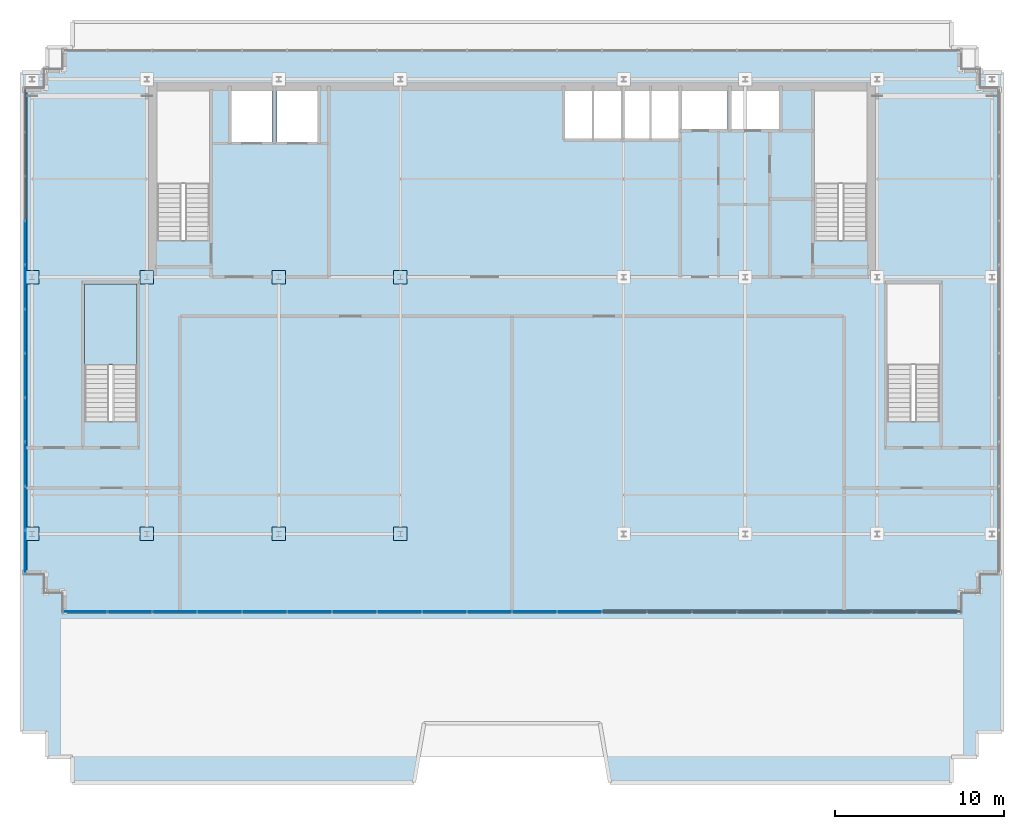
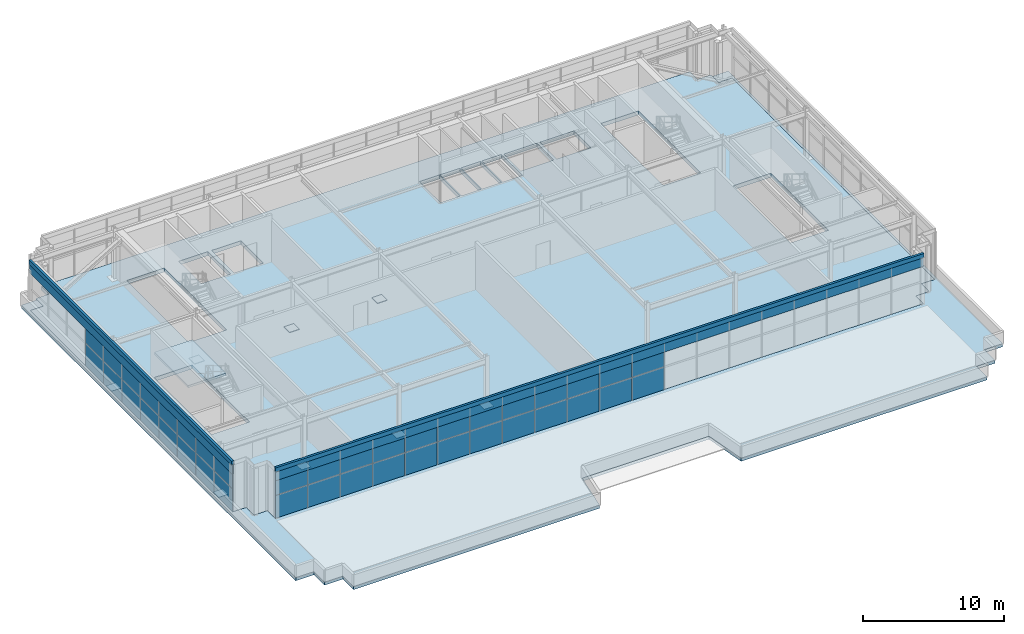
# One storey, part 25 of 38: 52 plates, 3 slabs, 3 elements without a shape of their own.
"""IFC4 building model written with IfcOpenShell, lengths in metres."""

from ifc_helpers import new_model, si_unit, direction, frame, origin, origin_2d, place, context, subcontext, project, spatial, polyline, rectangle, outline, extrude, source, transform, mapped, material, layer, layer_set, type_object, element, aggregate, save


model = new_model("IFC4")

# Units and contexts
model_context = context("Model", 3, precision=1e-05, world=origin(), true_north=direction((0.0, 1.0)))
body_context = subcontext(model_context, "Body", "Model", "MODEL_VIEW")
ifc_project = project(units=[si_unit("LENGTHUNIT", "METRE"), si_unit("AREAUNIT", "SQUARE_METRE"), si_unit("VOLUMEUNIT", "CUBIC_METRE"), si_unit("PLANEANGLEUNIT", "RADIAN"), si_unit("MASSUNIT", "GRAM", prefix="KILO")], contexts=[model_context])

# Site, building, storey
site_placement = place(None, origin())
site = spatial("IfcSite", under=ifc_project, at=site_placement, CompositionType="ELEMENT")
building_placement = place(site_placement, origin())
building = spatial("IfcBuilding", under=site, at=building_placement, Name="Trelvane Seafront Commons", CompositionType="ELEMENT")
storey_placement = place(building_placement, frame((0.0, 0.0, 299.10009765625)))
storey = spatial("IfcBuildingStorey", under=building, at=storey_placement, Name="L78", CompositionType="ELEMENT", Elevation=299.10009765625)

# Stair, slab
ifc_material_1 = material(Name="Concrete C40/50", Category="concrete")
stair_type = type_object("IfcStairType", Name="ARCH-STR-ST-5-R26-169", PredefinedType="HALF_TURN_STAIR", material=ifc_material_1)
stair_placement = place(storey_placement, origin())
stair = element("IfcStair", 1, at=stair_placement, inside=storey, type_object=stair_type, Name="L78 Crown West Peak Enclosed Maintenance Exit Stair ST-5", PredefinedType="HALF_TURN_STAIR")
ifc_layer_1 = layer(ifc_material_1, 0.199951171875, Name="ARCH-LND-200")
ifc_layer_set_1 = layer_set([ifc_layer_1], Name="Concrete C40/50")
slab_type_1 = type_object("IfcSlabType", Name="ARCH-LND-200", PredefinedType="LANDING", material=ifc_layer_set_1)
slab_1_placement = place(storey_placement, frame((0.0, 0.0, 2.0)))
slab_1 = element("IfcSlab", 2, at=slab_1_placement, type_object=slab_type_1, Name="ST-5 landing 1", PredefinedType="LANDING", context=body_context, shape_type="SweptSolid", body=[
    extrude(outline(polyline([(15.0, 28.2099609375), (15.0, 33.0), (11.89990234375, 33.0), (11.89990234375, 28.2099609375), (15.0, 28.2099609375)])), origin(), (0.0, 0.0, 1.0), 0.199951171875),
])
aggregate(stair, [slab_1])

# Slabs
ifc_layer_2 = layer(ifc_material_1, 0.27001953125, Name="STR-ROOF-270")
ifc_layer_set_2 = layer_set([ifc_layer_2], Name="Concrete C40/50")
slab_type_2 = type_object("IfcSlabType", Name="STR-ROOF-270", PredefinedType="ROOF", material=ifc_layer_set_2)
slab_2_placement = place(storey_placement, frame((0.0, 0.0, -0.27001953125)))
element("IfcSlab", 3, at=slab_2_placement, inside=storey, type_object=slab_type_2, Name="L78 Crown Setback Step Roof Slab", PredefinedType="ROOF", context=body_context, shape_type="SweptSolid", body=[
    extrude(outline(polyline([(64.89990234375, 45.5), (64.89990234375, 44.60009765625), (66.0, 44.60009765625), (66.0, 15.800048828125), (64.89990234375, 15.800048828125), (64.89990234375, 14.699951171875), (63.800048828125, 14.699951171875), (63.800048828125, 13.60009765625), (10.60009765625, 13.60009765625), (10.60009765625, 14.699951171875), (9.5, 14.699951171875), (9.5, 15.800048828125), (8.39990234375, 15.800048828125), (8.39990234375, 44.60009765625), (9.5, 44.60009765625), (9.5, 45.5), (8.199951171875, 45.5), (8.199951171875, 6.5), (9.699951171875, 6.5), (9.699951171875, 5.0), (11.199951171875, 5.0), (11.199951171875, 3.5), (31.39990234375, 3.5), (32.0, 7.0), (42.39990234375, 7.0), (43.0, 3.5), (63.199951171875, 3.5), (63.199951171875, 5.0), (64.699951171875, 5.0), (64.699951171875, 6.5), (66.199951171875, 6.5), (66.199951171875, 45.5), (64.89990234375, 45.5)])), origin(), (0.0, 0.0, 1.0), 0.27001953125),
])
ifc_material_2 = material(Name="Concrete C50/60", Category="concrete")
ifc_layer_3 = layer(ifc_material_2, 0.340087890625, Name="STR-SLB-CRN340")
ifc_layer_set_3 = layer_set([ifc_layer_3], Name="Concrete C50/60")
slab_type_3 = type_object("IfcSlabType", Name="STR-SLB-CRN340", PredefinedType="FLOOR", material=ifc_layer_set_3)
slab_3_placement = place(storey_placement, frame((0.0, 0.0, -0.340087890625)))
element("IfcSlab", 4, at=slab_3_placement, inside=storey, type_object=slab_type_3, Name="L78 Structural Floor Slab", PredefinedType="FLOOR", context=body_context, shape_type="SweptSolid", body=[
    extrude(outline(polyline([(10.60009765625, 13.60009765625), (63.800048828125, 13.60009765625), (63.800048828125, 14.699951171875), (64.89990234375, 14.699951171875), (64.89990234375, 15.800048828125), (66.0, 15.800048828125), (66.0, 44.60009765625), (64.89990234375, 44.60009765625), (64.89990234375, 45.699951171875), (63.800048828125, 45.699951171875), (63.800048828125, 46.800048828125), (10.60009765625, 46.800048828125), (10.60009765625, 45.699951171875), (9.5, 45.699951171875), (9.5, 44.60009765625), (8.39990234375, 44.60009765625), (8.39990234375, 15.800048828125), (9.5, 15.800048828125), (9.5, 14.699951171875), (10.60009765625, 14.699951171875), (10.60009765625, 13.60009765625)]), holes=[polyline([(15.0, 24.85009765625), (11.89990234375, 24.85009765625), (11.89990234375, 33.0), (15.0, 33.0), (15.0, 24.85009765625)]), polyline([(16.199951171875, 35.550048828125), (16.199951171875, 44.39990234375), (19.300048828125, 44.39990234375), (19.300048828125, 35.550048828125), (16.199951171875, 35.550048828125)]), polyline([(20.60009765625, 41.39990234375), (20.60009765625, 44.60009765625), (23.0, 44.60009765625), (23.0, 41.39990234375), (20.60009765625, 41.39990234375)]), polyline([(25.699951171875, 41.39990234375), (23.300048828125, 41.39990234375), (23.300048828125, 44.60009765625), (25.699951171875, 44.60009765625), (25.699951171875, 41.39990234375)]), polyline([(40.35009765625, 41.60009765625), (40.35009765625, 44.60009765625), (41.969970703125, 44.60009765625), (41.969970703125, 41.60009765625), (40.35009765625, 41.60009765625)]), polyline([(42.050048828125, 41.60009765625), (42.050048828125, 44.60009765625), (43.669921875, 44.60009765625), (43.669921875, 41.60009765625), (42.050048828125, 41.60009765625)]), polyline([(62.5, 24.85009765625), (59.39990234375, 24.85009765625), (59.39990234375, 33.0), (62.5, 33.0), (62.5, 24.85009765625)]), polyline([(55.10009765625, 35.550048828125), (55.10009765625, 44.39990234375), (58.199951171875, 44.39990234375), (58.199951171875, 35.550048828125), (55.10009765625, 35.550048828125)]), polyline([(43.75, 41.60009765625), (43.75, 44.60009765625), (45.3701171875, 44.60009765625), (45.3701171875, 41.60009765625), (43.75, 41.60009765625)]), polyline([(47.070068359375, 41.60009765625), (45.449951171875, 41.60009765625), (45.449951171875, 44.60009765625), (47.070068359375, 44.60009765625), (47.070068359375, 41.60009765625)]), polyline([(47.25, 42.14990234375), (47.25, 44.550048828125), (49.949951171875, 44.550048828125), (49.949951171875, 42.14990234375), (47.25, 42.14990234375)]), polyline([(50.199951171875, 42.14990234375), (50.199951171875, 44.550048828125), (53.0, 44.550048828125), (53.0, 42.14990234375), (50.199951171875, 42.14990234375)])]), origin(), (0.0, 0.0, 1.0), 0.340087890625),
])

# Plates
ifc_material_3 = material(Name="Steel SM355 (S355)", Category="steel")
ifc_layer_4 = layer(ifc_material_3, 0.034912109375, Name="STR-PLT-BASE-CRN")
ifc_layer_set_4 = layer_set([ifc_layer_4], Name="Steel SM355 (S355)")
plate_type_1 = type_object("IfcPlateType", Name="STR-PLT-BASE-CRN", PredefinedType="SHEET", material=ifc_layer_set_4)
shared_shape_1 = source(origin(), body_context, "Body", "SweptSolid", [
    extrude(rectangle(XDim=0.800048828125, YDim=0.800048828125, at=origin_2d()), origin(), (0.0, 0.0, 1.0), 0.034912109375),
])
for number, where, z_axis, x_axis, name in (
    (5, (8.800048828125, 18.199951171875, 0.0), (0.0, 0.0, 1.0), (1.0, 0.0, 0.0), "L78 CROWN FRAME Column Base Plate CRN1-01"),
    (6, (8.800048828125, 33.39990234375, 0.0), (0.0, 0.0, 1.0), (1.0, 0.0, 0.0), "L78 CROWN FRAME Column Base Plate CRN1-02"),
    (7, (15.60009765625, 18.199951171875, 0.0), (0.0, 0.0, 1.0), (1.0, 0.0, 0.0), "L78 CROWN FRAME Column Base Plate CRN1-04"),
    (8, (15.60009765625, 33.39990234375, 0.0), (0.0, 0.0, 1.0), (1.0, 0.0, 0.0), "L78 CROWN FRAME Column Base Plate CRN1-05"),
    (9, (23.39990234375, 18.199951171875, 0.0), (0.0, 0.0, 1.0), (1.0, 0.0, 0.0), "L78 CROWN FRAME Column Base Plate CRN1-07"),
    (10, (23.39990234375, 33.39990234375, 0.0), (0.0, 0.0, 1.0), (1.0, 0.0, 0.0), "L78 CROWN FRAME Column Base Plate CRN1-08"),
    (11, (30.60009765625, 18.199951171875, 0.0), (0.0, 0.0, 1.0), (1.0, 0.0, 0.0), "L78 CROWN FRAME Column Base Plate CRN1-10"),
    (12, (30.60009765625, 33.39990234375, 0.0), (0.0, 0.0, 1.0), (1.0, 0.0, 0.0), "L78 CROWN FRAME Column Base Plate CRN1-11"),
):
    element("IfcPlate", number, at=place(storey_placement, frame(where, z_axis=z_axis, x_axis=x_axis)), inside=storey, type_object=plate_type_1, Name=name, PredefinedType="SHEET", context=body_context, shape_type="MappedRepresentation", body=[
        mapped(shared_shape_1, transform((0.0, 0.0, 0.0), x_axis=(1.0, 0.0, 0.0), y_axis=(0.0, 1.0, 0.0), z_axis=(0.0, 0.0, 1.0), scale=1.0)),
    ])

# Curtain wall, plates
ifc_material_4 = material(Name="Anodised pale-silver aluminium", Category="aluminium")
curtain_wall_type = type_object("IfcCurtainWallType", Name="ARCH-CW6-CROWN", PredefinedType="NOTDEFINED", material=ifc_material_4)
curtain_wall_1_placement = place(storey_placement, origin())
curtain_wall_1 = element("IfcCurtainWall", 13, at=curtain_wall_1_placement, inside=storey, type_object=curtain_wall_type, Name="CW-L78-0124", PredefinedType="NOTDEFINED")
ifc_material_5 = material(Name="Low-E coastal double glazing", Category="glass")
ifc_layer_5 = layer(ifc_material_5, 0.033935546875, Name="ARCH-CW-GLAZ-34")
ifc_layer_set_5 = layer_set([ifc_layer_5], Name="Low-E coastal double glazing")
plate_type_2 = type_object("IfcPlateType", Name="ARCH-CW-GLAZ-34", PredefinedType="CURTAIN_PANEL", material=ifc_layer_set_5)
shared_shape_2 = source(origin(), body_context, "Body", "SweptSolid", [
    extrude(rectangle(XDim=2.59423828125, YDim=0.031982421875, at=origin_2d()), origin(), (0.0, 0.0, 1.0), 1.9599609375),
])
plate_1_placement = place(storey_placement, frame((8.39990234375, 17.109130859375, 0.0), z_axis=(0.0, 0.0, 1.0), x_axis=(0.0, 1.0, 0.0)))
plate_1 = element("IfcPlate", 14, at=plate_1_placement, type_object=plate_type_2, Name="CW-L78-0124-P00-1", PredefinedType="CURTAIN_PANEL", context=body_context, shape_type="MappedRepresentation", body=[
    mapped(shared_shape_2, transform((0.0, 0.0, 0.0), x_axis=(1.0, 0.0, 0.0), y_axis=(0.0, 1.0, 0.0), z_axis=(0.0, 0.0, 1.0), scale=1.0)),
])
plate_2_placement = place(storey_placement, frame((8.39990234375, 19.727294921875, 0.0), z_axis=(0.0, 0.0, 1.0), x_axis=(0.0, 1.0, 0.0)))
plate_2 = element("IfcPlate", 15, at=plate_2_placement, type_object=plate_type_2, Name="CW-L78-0124-P01-1", PredefinedType="CURTAIN_PANEL", context=body_context, shape_type="MappedRepresentation", body=[
    mapped(shared_shape_2, transform((0.0, 0.0, 0.0), x_axis=(1.0, 0.0, 0.0), y_axis=(0.0, 1.0, 0.0), z_axis=(0.0, 0.0, 1.0), scale=1.0)),
])
plate_3_placement = place(storey_placement, frame((8.39990234375, 24.963623046875, 0.0), z_axis=(0.0, 0.0, 1.0), x_axis=(0.0, 1.0, 0.0)))
plate_3 = element("IfcPlate", 16, at=plate_3_placement, type_object=plate_type_2, Name="CW-L78-0124-P03-1", PredefinedType="CURTAIN_PANEL", context=body_context, shape_type="MappedRepresentation", body=[
    mapped(shared_shape_2, transform((0.0, 0.0, 0.0), x_axis=(1.0, 0.0, 0.0), y_axis=(0.0, 1.0, 0.0), z_axis=(0.0, 0.0, 1.0), scale=1.0)),
])
plate_4_placement = place(storey_placement, frame((8.39990234375, 27.581787109375, 0.0), z_axis=(0.0, 0.0, 1.0), x_axis=(0.0, 1.0, 0.0)))
plate_4 = element("IfcPlate", 17, at=plate_4_placement, type_object=plate_type_2, Name="CW-L78-0124-P04-1", PredefinedType="CURTAIN_PANEL", context=body_context, shape_type="MappedRepresentation", body=[
    mapped(shared_shape_2, transform((0.0, 0.0, 0.0), x_axis=(1.0, 0.0, 0.0), y_axis=(0.0, 1.0, 0.0), z_axis=(0.0, 0.0, 1.0), scale=1.0)),
])
plate_5_placement = place(storey_placement, frame((8.39990234375, 30.199951171875, 0.0), z_axis=(0.0, 0.0, 1.0), x_axis=(0.0, 1.0, 0.0)))
plate_5 = element("IfcPlate", 18, at=plate_5_placement, type_object=plate_type_2, Name="CW-L78-0124-P05-1", PredefinedType="CURTAIN_PANEL", context=body_context, shape_type="MappedRepresentation", body=[
    mapped(shared_shape_2, transform((0.0, 0.0, 0.0), x_axis=(1.0, 0.0, 0.0), y_axis=(0.0, 1.0, 0.0), z_axis=(0.0, 0.0, 1.0), scale=1.0)),
])
plate_6_placement = place(storey_placement, frame((8.39990234375, 32.818115234375, 0.0), z_axis=(0.0, 0.0, 1.0), x_axis=(0.0, 1.0, 0.0)))
plate_6 = element("IfcPlate", 19, at=plate_6_placement, type_object=plate_type_2, Name="CW-L78-0124-P06-1", PredefinedType="CURTAIN_PANEL", context=body_context, shape_type="MappedRepresentation", body=[
    mapped(shared_shape_2, transform((0.0, 0.0, 0.0), x_axis=(1.0, 0.0, 0.0), y_axis=(0.0, 1.0, 0.0), z_axis=(0.0, 0.0, 1.0), scale=1.0)),
])
plate_7_placement = place(storey_placement, frame((8.39990234375, 35.436279296875, 0.0), z_axis=(0.0, 0.0, 1.0), x_axis=(0.0, 1.0, 0.0)))
plate_7 = element("IfcPlate", 20, at=plate_7_placement, type_object=plate_type_2, Name="CW-L78-0124-P07-1", PredefinedType="CURTAIN_PANEL", context=body_context, shape_type="MappedRepresentation", body=[
    mapped(shared_shape_2, transform((0.0, 0.0, 0.0), x_axis=(1.0, 0.0, 0.0), y_axis=(0.0, 1.0, 0.0), z_axis=(0.0, 0.0, 1.0), scale=1.0)),
])
shared_shape_3 = source(origin(), body_context, "Body", "SweptSolid", [
    extrude(rectangle(XDim=2.59423828125, YDim=0.031982421875, at=origin_2d()), origin(), (0.0, 0.0, 1.0), 2.1240234375),
])
plate_8_placement = place(storey_placement, frame((8.39990234375, 17.109130859375, 1.995849609375), z_axis=(0.0, 0.0, 1.0), x_axis=(0.0, 1.0, 0.0)))
plate_8 = element("IfcPlate", 21, at=plate_8_placement, type_object=plate_type_2, Name="CW-L78-0124-P00-2", PredefinedType="CURTAIN_PANEL", context=body_context, shape_type="MappedRepresentation", body=[
    mapped(shared_shape_3, transform((0.0, 0.0, 0.0), x_axis=(1.0, 0.0, 0.0), y_axis=(0.0, 1.0, 0.0), z_axis=(0.0, 0.0, 1.0), scale=1.0)),
])
plate_9_placement = place(storey_placement, frame((8.39990234375, 19.727294921875, 1.995849609375), z_axis=(0.0, 0.0, 1.0), x_axis=(0.0, 1.0, 0.0)))
plate_9 = element("IfcPlate", 22, at=plate_9_placement, type_object=plate_type_2, Name="CW-L78-0124-P01-2", PredefinedType="CURTAIN_PANEL", context=body_context, shape_type="MappedRepresentation", body=[
    mapped(shared_shape_3, transform((0.0, 0.0, 0.0), x_axis=(1.0, 0.0, 0.0), y_axis=(0.0, 1.0, 0.0), z_axis=(0.0, 0.0, 1.0), scale=1.0)),
])
plate_10_placement = place(storey_placement, frame((8.39990234375, 24.963623046875, 1.995849609375), z_axis=(0.0, 0.0, 1.0), x_axis=(0.0, 1.0, 0.0)))
plate_10 = element("IfcPlate", 23, at=plate_10_placement, type_object=plate_type_2, Name="CW-L78-0124-P03-2", PredefinedType="CURTAIN_PANEL", context=body_context, shape_type="MappedRepresentation", body=[
    mapped(shared_shape_3, transform((0.0, 0.0, 0.0), x_axis=(1.0, 0.0, 0.0), y_axis=(0.0, 1.0, 0.0), z_axis=(0.0, 0.0, 1.0), scale=1.0)),
])
plate_11_placement = place(storey_placement, frame((8.39990234375, 27.581787109375, 1.995849609375), z_axis=(0.0, 0.0, 1.0), x_axis=(0.0, 1.0, 0.0)))
plate_11 = element("IfcPlate", 24, at=plate_11_placement, type_object=plate_type_2, Name="CW-L78-0124-P04-2", PredefinedType="CURTAIN_PANEL", context=body_context, shape_type="MappedRepresentation", body=[
    mapped(shared_shape_3, transform((0.0, 0.0, 0.0), x_axis=(1.0, 0.0, 0.0), y_axis=(0.0, 1.0, 0.0), z_axis=(0.0, 0.0, 1.0), scale=1.0)),
])
plate_12_placement = place(storey_placement, frame((8.39990234375, 30.199951171875, 1.995849609375), z_axis=(0.0, 0.0, 1.0), x_axis=(0.0, 1.0, 0.0)))
plate_12 = element("IfcPlate", 25, at=plate_12_placement, type_object=plate_type_2, Name="CW-L78-0124-P05-2", PredefinedType="CURTAIN_PANEL", context=body_context, shape_type="MappedRepresentation", body=[
    mapped(shared_shape_3, transform((0.0, 0.0, 0.0), x_axis=(1.0, 0.0, 0.0), y_axis=(0.0, 1.0, 0.0), z_axis=(0.0, 0.0, 1.0), scale=1.0)),
])
plate_13_placement = place(storey_placement, frame((8.39990234375, 32.818115234375, 1.995849609375), z_axis=(0.0, 0.0, 1.0), x_axis=(0.0, 1.0, 0.0)))
plate_13 = element("IfcPlate", 26, at=plate_13_placement, type_object=plate_type_2, Name="CW-L78-0124-P06-2", PredefinedType="CURTAIN_PANEL", context=body_context, shape_type="MappedRepresentation", body=[
    mapped(shared_shape_3, transform((0.0, 0.0, 0.0), x_axis=(1.0, 0.0, 0.0), y_axis=(0.0, 1.0, 0.0), z_axis=(0.0, 0.0, 1.0), scale=1.0)),
])
plate_14_placement = place(storey_placement, frame((8.39990234375, 35.436279296875, 1.995849609375), z_axis=(0.0, 0.0, 1.0), x_axis=(0.0, 1.0, 0.0)))
plate_14 = element("IfcPlate", 27, at=plate_14_placement, type_object=plate_type_2, Name="CW-L78-0124-P07-2", PredefinedType="CURTAIN_PANEL", context=body_context, shape_type="MappedRepresentation", body=[
    mapped(shared_shape_3, transform((0.0, 0.0, 0.0), x_axis=(1.0, 0.0, 0.0), y_axis=(0.0, 1.0, 0.0), z_axis=(0.0, 0.0, 1.0), scale=1.0)),
])
shared_shape_4 = source(origin(), body_context, "Body", "SweptSolid", [
    extrude(rectangle(XDim=2.593994140625, YDim=0.031982421875, at=origin_2d()), origin(), (0.0, 0.0, 1.0), 1.9599609375),
])
plate_15_placement = place(storey_placement, frame((8.39990234375, 22.345458984375, 0.0), z_axis=(0.0, 0.0, 1.0), x_axis=(0.0, 1.0, 0.0)))
plate_15 = element("IfcPlate", 28, at=plate_15_placement, type_object=plate_type_2, Name="CW-L78-0124-P02-1", PredefinedType="CURTAIN_PANEL", context=body_context, shape_type="MappedRepresentation", body=[
    mapped(shared_shape_4, transform((0.0, 0.0, 0.0), x_axis=(1.0, 0.0, 0.0), y_axis=(0.0, 1.0, 0.0), z_axis=(0.0, 0.0, 1.0), scale=1.0)),
])
shared_shape_5 = source(origin(), body_context, "Body", "SweptSolid", [
    extrude(rectangle(XDim=2.593994140625, YDim=0.031982421875, at=origin_2d()), origin(), (0.0, 0.0, 1.0), 2.1240234375),
])
plate_16_placement = place(storey_placement, frame((8.39990234375, 22.345458984375, 1.995849609375), z_axis=(0.0, 0.0, 1.0), x_axis=(0.0, 1.0, 0.0)))
plate_16 = element("IfcPlate", 29, at=plate_16_placement, type_object=plate_type_2, Name="CW-L78-0124-P02-2", PredefinedType="CURTAIN_PANEL", context=body_context, shape_type="MappedRepresentation", body=[
    mapped(shared_shape_5, transform((0.0, 0.0, 0.0), x_axis=(1.0, 0.0, 0.0), y_axis=(0.0, 1.0, 0.0), z_axis=(0.0, 0.0, 1.0), scale=1.0)),
])
aggregate(curtain_wall_1, [plate_1, plate_8, plate_2, plate_9, plate_15, plate_16, plate_3, plate_10, plate_4, plate_11, plate_5, plate_12, plate_6, plate_13, plate_7, plate_14])

# Plates
ifc_layer_6 = layer(ifc_material_4, 0.080078125, Name="ARCH-PLATE-LOUVRE")
ifc_layer_set_6 = layer_set([ifc_layer_6], Name="Anodised pale-silver aluminium")
plate_type_3 = type_object("IfcPlateType", Name="ARCH-PLATE-LOUVRE", PredefinedType="USERDEFINED", material=ifc_layer_set_6)
shared_shape_6 = source(origin(), body_context, "Body", "SweptSolid", [
    extrude(rectangle(XDim=28.800048828125, YDim=0.080078125, at=origin_2d()), origin(), (0.0, 0.0, 1.0), 0.889892578125),
])
plate_17_placement = place(storey_placement, frame((8.39990234375, 30.199951171875, 3.27001953125), z_axis=(0.0, 0.0, 1.0), x_axis=(0.0, 1.0, 0.0)))
element("IfcPlate", 30, at=plate_17_placement, inside=storey, type_object=plate_type_3, Name="LOU-L78-013", ObjectType="LOUVRE", PredefinedType="USERDEFINED", context=body_context, shape_type="MappedRepresentation", body=[
    mapped(shared_shape_6, transform((0.0, 0.0, 0.0), x_axis=(1.0, 0.0, 0.0), y_axis=(0.0, 1.0, 0.0), z_axis=(0.0, 0.0, 1.0), scale=1.0)),
])
ifc_layer_7 = layer(ifc_material_4, 0.179931640625, Name="ARCH-PLATE-AERO")
ifc_layer_set_7 = layer_set([ifc_layer_7], Name="Anodised pale-silver aluminium")
plate_type_4 = type_object("IfcPlateType", Name="ARCH-PLATE-AERO", PredefinedType="SHEET", material=ifc_layer_set_7)
shared_shape_7 = source(origin(), body_context, "Body", "SweptSolid", [
    extrude(rectangle(XDim=28.800048828125, YDim=0.179931640625, at=origin_2d()), origin(), (0.0, 0.0, 1.0), 0.360107421875),
])
plate_18_placement = place(storey_placement, frame((8.39990234375, 30.199951171875, 4.06005859375), z_axis=(0.0, 0.0, 1.0), x_axis=(0.0, 1.0, 0.0)))
element("IfcPlate", 31, at=plate_18_placement, inside=storey, type_object=plate_type_4, Name="AER-L78-00270", PredefinedType="SHEET", context=body_context, shape_type="MappedRepresentation", body=[
    mapped(shared_shape_7, transform((0.0, 0.0, 0.0), x_axis=(1.0, 0.0, 0.0), y_axis=(0.0, 1.0, 0.0), z_axis=(0.0, 0.0, 1.0), scale=1.0)),
])

# Curtain wall, plates
curtain_wall_2_placement = place(storey_placement, origin())
curtain_wall_2 = element("IfcCurtainWall", 32, at=curtain_wall_2_placement, inside=storey, type_object=curtain_wall_type, Name="CW-L78-0127", PredefinedType="NOTDEFINED")
shared_shape_8 = source(origin(), body_context, "Body", "SweptSolid", [
    extrude(rectangle(XDim=2.635986328125, YDim=0.031982421875, at=origin_2d()), origin(), (0.0, 0.0, 1.0), 1.9599609375),
])
plate_19_placement = place(storey_placement, frame((41.18994140625, 13.60009765625, 0.0), z_axis=(0.0, 0.0, 1.0), x_axis=(-1.0, 0.0, 0.0)))
plate_19 = element("IfcPlate", 33, at=plate_19_placement, type_object=plate_type_2, Name="CW-L78-0127-P08-1", PredefinedType="CURTAIN_PANEL", context=body_context, shape_type="MappedRepresentation", body=[
    mapped(shared_shape_8, transform((0.0, 0.0, 0.0), x_axis=(1.0, 0.0, 0.0), y_axis=(0.0, 1.0, 0.0), z_axis=(0.0, 0.0, 1.0), scale=1.0)),
])
plate_20_placement = place(storey_placement, frame((38.530029296875, 13.60009765625, 0.0), z_axis=(0.0, 0.0, 1.0), x_axis=(-1.0, 0.0, 0.0)))
plate_20 = element("IfcPlate", 34, at=plate_20_placement, type_object=plate_type_2, Name="CW-L78-0127-P09-1", PredefinedType="CURTAIN_PANEL", context=body_context, shape_type="MappedRepresentation", body=[
    mapped(shared_shape_8, transform((0.0, 0.0, 0.0), x_axis=(1.0, 0.0, 0.0), y_axis=(0.0, 1.0, 0.0), z_axis=(0.0, 0.0, 1.0), scale=1.0)),
])
plate_21_placement = place(storey_placement, frame((35.8701171875, 13.60009765625, 0.0), z_axis=(0.0, 0.0, 1.0), x_axis=(-1.0, 0.0, 0.0)))
plate_21 = element("IfcPlate", 35, at=plate_21_placement, type_object=plate_type_2, Name="CW-L78-0127-P10-1", PredefinedType="CURTAIN_PANEL", context=body_context, shape_type="MappedRepresentation", body=[
    mapped(shared_shape_8, transform((0.0, 0.0, 0.0), x_axis=(1.0, 0.0, 0.0), y_axis=(0.0, 1.0, 0.0), z_axis=(0.0, 0.0, 1.0), scale=1.0)),
])
plate_22_placement = place(storey_placement, frame((33.2099609375, 13.60009765625, 0.0), z_axis=(0.0, 0.0, 1.0), x_axis=(-1.0, 0.0, 0.0)))
plate_22 = element("IfcPlate", 36, at=plate_22_placement, type_object=plate_type_2, Name="CW-L78-0127-P11-1", PredefinedType="CURTAIN_PANEL", context=body_context, shape_type="MappedRepresentation", body=[
    mapped(shared_shape_8, transform((0.0, 0.0, 0.0), x_axis=(1.0, 0.0, 0.0), y_axis=(0.0, 1.0, 0.0), z_axis=(0.0, 0.0, 1.0), scale=1.0)),
])
plate_23_placement = place(storey_placement, frame((30.550048828125, 13.60009765625, 0.0), z_axis=(0.0, 0.0, 1.0), x_axis=(-1.0, 0.0, 0.0)))
plate_23 = element("IfcPlate", 37, at=plate_23_placement, type_object=plate_type_2, Name="CW-L78-0127-P12-1", PredefinedType="CURTAIN_PANEL", context=body_context, shape_type="MappedRepresentation", body=[
    mapped(shared_shape_8, transform((0.0, 0.0, 0.0), x_axis=(1.0, 0.0, 0.0), y_axis=(0.0, 1.0, 0.0), z_axis=(0.0, 0.0, 1.0), scale=1.0)),
])
plate_24_placement = place(storey_placement, frame((27.889892578125, 13.60009765625, 0.0), z_axis=(0.0, 0.0, 1.0), x_axis=(-1.0, 0.0, 0.0)))
plate_24 = element("IfcPlate", 38, at=plate_24_placement, type_object=plate_type_2, Name="CW-L78-0127-P13-1", PredefinedType="CURTAIN_PANEL", context=body_context, shape_type="MappedRepresentation", body=[
    mapped(shared_shape_8, transform((0.0, 0.0, 0.0), x_axis=(1.0, 0.0, 0.0), y_axis=(0.0, 1.0, 0.0), z_axis=(0.0, 0.0, 1.0), scale=1.0)),
])
plate_25_placement = place(storey_placement, frame((25.22998046875, 13.60009765625, 0.0), z_axis=(0.0, 0.0, 1.0), x_axis=(-1.0, 0.0, 0.0)))
plate_25 = element("IfcPlate", 39, at=plate_25_placement, type_object=plate_type_2, Name="CW-L78-0127-P14-1", PredefinedType="CURTAIN_PANEL", context=body_context, shape_type="MappedRepresentation", body=[
    mapped(shared_shape_8, transform((0.0, 0.0, 0.0), x_axis=(1.0, 0.0, 0.0), y_axis=(0.0, 1.0, 0.0), z_axis=(0.0, 0.0, 1.0), scale=1.0)),
])
plate_26_placement = place(storey_placement, frame((22.570068359375, 13.60009765625, 0.0), z_axis=(0.0, 0.0, 1.0), x_axis=(-1.0, 0.0, 0.0)))
plate_26 = element("IfcPlate", 40, at=plate_26_placement, type_object=plate_type_2, Name="CW-L78-0127-P15-1", PredefinedType="CURTAIN_PANEL", context=body_context, shape_type="MappedRepresentation", body=[
    mapped(shared_shape_8, transform((0.0, 0.0, 0.0), x_axis=(1.0, 0.0, 0.0), y_axis=(0.0, 1.0, 0.0), z_axis=(0.0, 0.0, 1.0), scale=1.0)),
])
plate_27_placement = place(storey_placement, frame((19.909912109375, 13.60009765625, 0.0), z_axis=(0.0, 0.0, 1.0), x_axis=(-1.0, 0.0, 0.0)))
plate_27 = element("IfcPlate", 41, at=plate_27_placement, type_object=plate_type_2, Name="CW-L78-0127-P16-1", PredefinedType="CURTAIN_PANEL", context=body_context, shape_type="MappedRepresentation", body=[
    mapped(shared_shape_8, transform((0.0, 0.0, 0.0), x_axis=(1.0, 0.0, 0.0), y_axis=(0.0, 1.0, 0.0), z_axis=(0.0, 0.0, 1.0), scale=1.0)),
])
plate_28_placement = place(storey_placement, frame((17.25, 13.60009765625, 0.0), z_axis=(0.0, 0.0, 1.0), x_axis=(-1.0, 0.0, 0.0)))
plate_28 = element("IfcPlate", 42, at=plate_28_placement, type_object=plate_type_2, Name="CW-L78-0127-P17-1", PredefinedType="CURTAIN_PANEL", context=body_context, shape_type="MappedRepresentation", body=[
    mapped(shared_shape_8, transform((0.0, 0.0, 0.0), x_axis=(1.0, 0.0, 0.0), y_axis=(0.0, 1.0, 0.0), z_axis=(0.0, 0.0, 1.0), scale=1.0)),
])
plate_29_placement = place(storey_placement, frame((14.590087890625, 13.60009765625, 0.0), z_axis=(0.0, 0.0, 1.0), x_axis=(-1.0, 0.0, 0.0)))
plate_29 = element("IfcPlate", 43, at=plate_29_placement, type_object=plate_type_2, Name="CW-L78-0127-P18-1", PredefinedType="CURTAIN_PANEL", context=body_context, shape_type="MappedRepresentation", body=[
    mapped(shared_shape_8, transform((0.0, 0.0, 0.0), x_axis=(1.0, 0.0, 0.0), y_axis=(0.0, 1.0, 0.0), z_axis=(0.0, 0.0, 1.0), scale=1.0)),
])
plate_30_placement = place(storey_placement, frame((11.929931640625, 13.60009765625, 0.0), z_axis=(0.0, 0.0, 1.0), x_axis=(-1.0, 0.0, 0.0)))
plate_30 = element("IfcPlate", 44, at=plate_30_placement, type_object=plate_type_2, Name="CW-L78-0127-P19-1", PredefinedType="CURTAIN_PANEL", context=body_context, shape_type="MappedRepresentation", body=[
    mapped(shared_shape_8, transform((0.0, 0.0, 0.0), x_axis=(1.0, 0.0, 0.0), y_axis=(0.0, 1.0, 0.0), z_axis=(0.0, 0.0, 1.0), scale=1.0)),
])
shared_shape_9 = source(origin(), body_context, "Body", "SweptSolid", [
    extrude(rectangle(XDim=2.635986328125, YDim=0.031982421875, at=origin_2d()), origin(), (0.0, 0.0, 1.0), 2.1240234375),
])
plate_31_placement = place(storey_placement, frame((41.18994140625, 13.60009765625, 1.995849609375), z_axis=(0.0, 0.0, 1.0), x_axis=(-1.0, 0.0, 0.0)))
plate_31 = element("IfcPlate", 45, at=plate_31_placement, type_object=plate_type_2, Name="CW-L78-0127-P08-2", PredefinedType="CURTAIN_PANEL", context=body_context, shape_type="MappedRepresentation", body=[
    mapped(shared_shape_9, transform((0.0, 0.0, 0.0), x_axis=(1.0, 0.0, 0.0), y_axis=(0.0, 1.0, 0.0), z_axis=(0.0, 0.0, 1.0), scale=1.0)),
])
plate_32_placement = place(storey_placement, frame((38.530029296875, 13.60009765625, 1.995849609375), z_axis=(0.0, 0.0, 1.0), x_axis=(-1.0, 0.0, 0.0)))
plate_32 = element("IfcPlate", 46, at=plate_32_placement, type_object=plate_type_2, Name="CW-L78-0127-P09-2", PredefinedType="CURTAIN_PANEL", context=body_context, shape_type="MappedRepresentation", body=[
    mapped(shared_shape_9, transform((0.0, 0.0, 0.0), x_axis=(1.0, 0.0, 0.0), y_axis=(0.0, 1.0, 0.0), z_axis=(0.0, 0.0, 1.0), scale=1.0)),
])
plate_33_placement = place(storey_placement, frame((35.8701171875, 13.60009765625, 1.995849609375), z_axis=(0.0, 0.0, 1.0), x_axis=(-1.0, 0.0, 0.0)))
plate_33 = element("IfcPlate", 47, at=plate_33_placement, type_object=plate_type_2, Name="CW-L78-0127-P10-2", PredefinedType="CURTAIN_PANEL", context=body_context, shape_type="MappedRepresentation", body=[
    mapped(shared_shape_9, transform((0.0, 0.0, 0.0), x_axis=(1.0, 0.0, 0.0), y_axis=(0.0, 1.0, 0.0), z_axis=(0.0, 0.0, 1.0), scale=1.0)),
])
plate_34_placement = place(storey_placement, frame((33.2099609375, 13.60009765625, 1.995849609375), z_axis=(0.0, 0.0, 1.0), x_axis=(-1.0, 0.0, 0.0)))
plate_34 = element("IfcPlate", 48, at=plate_34_placement, type_object=plate_type_2, Name="CW-L78-0127-P11-2", PredefinedType="CURTAIN_PANEL", context=body_context, shape_type="MappedRepresentation", body=[
    mapped(shared_shape_9, transform((0.0, 0.0, 0.0), x_axis=(1.0, 0.0, 0.0), y_axis=(0.0, 1.0, 0.0), z_axis=(0.0, 0.0, 1.0), scale=1.0)),
])
plate_35_placement = place(storey_placement, frame((30.550048828125, 13.60009765625, 1.995849609375), z_axis=(0.0, 0.0, 1.0), x_axis=(-1.0, 0.0, 0.0)))
plate_35 = element("IfcPlate", 49, at=plate_35_placement, type_object=plate_type_2, Name="CW-L78-0127-P12-2", PredefinedType="CURTAIN_PANEL", context=body_context, shape_type="MappedRepresentation", body=[
    mapped(shared_shape_9, transform((0.0, 0.0, 0.0), x_axis=(1.0, 0.0, 0.0), y_axis=(0.0, 1.0, 0.0), z_axis=(0.0, 0.0, 1.0), scale=1.0)),
])
plate_36_placement = place(storey_placement, frame((27.889892578125, 13.60009765625, 1.995849609375), z_axis=(0.0, 0.0, 1.0), x_axis=(-1.0, 0.0, 0.0)))
plate_36 = element("IfcPlate", 50, at=plate_36_placement, type_object=plate_type_2, Name="CW-L78-0127-P13-2", PredefinedType="CURTAIN_PANEL", context=body_context, shape_type="MappedRepresentation", body=[
    mapped(shared_shape_9, transform((0.0, 0.0, 0.0), x_axis=(1.0, 0.0, 0.0), y_axis=(0.0, 1.0, 0.0), z_axis=(0.0, 0.0, 1.0), scale=1.0)),
])
plate_37_placement = place(storey_placement, frame((25.22998046875, 13.60009765625, 1.995849609375), z_axis=(0.0, 0.0, 1.0), x_axis=(-1.0, 0.0, 0.0)))
plate_37 = element("IfcPlate", 51, at=plate_37_placement, type_object=plate_type_2, Name="CW-L78-0127-P14-2", PredefinedType="CURTAIN_PANEL", context=body_context, shape_type="MappedRepresentation", body=[
    mapped(shared_shape_9, transform((0.0, 0.0, 0.0), x_axis=(1.0, 0.0, 0.0), y_axis=(0.0, 1.0, 0.0), z_axis=(0.0, 0.0, 1.0), scale=1.0)),
])
plate_38_placement = place(storey_placement, frame((22.570068359375, 13.60009765625, 1.995849609375), z_axis=(0.0, 0.0, 1.0), x_axis=(-1.0, 0.0, 0.0)))
plate_38 = element("IfcPlate", 52, at=plate_38_placement, type_object=plate_type_2, Name="CW-L78-0127-P15-2", PredefinedType="CURTAIN_PANEL", context=body_context, shape_type="MappedRepresentation", body=[
    mapped(shared_shape_9, transform((0.0, 0.0, 0.0), x_axis=(1.0, 0.0, 0.0), y_axis=(0.0, 1.0, 0.0), z_axis=(0.0, 0.0, 1.0), scale=1.0)),
])
plate_39_placement = place(storey_placement, frame((19.909912109375, 13.60009765625, 1.995849609375), z_axis=(0.0, 0.0, 1.0), x_axis=(-1.0, 0.0, 0.0)))
plate_39 = element("IfcPlate", 53, at=plate_39_placement, type_object=plate_type_2, Name="CW-L78-0127-P16-2", PredefinedType="CURTAIN_PANEL", context=body_context, shape_type="MappedRepresentation", body=[
    mapped(shared_shape_9, transform((0.0, 0.0, 0.0), x_axis=(1.0, 0.0, 0.0), y_axis=(0.0, 1.0, 0.0), z_axis=(0.0, 0.0, 1.0), scale=1.0)),
])
plate_40_placement = place(storey_placement, frame((17.25, 13.60009765625, 1.995849609375), z_axis=(0.0, 0.0, 1.0), x_axis=(-1.0, 0.0, 0.0)))
plate_40 = element("IfcPlate", 54, at=plate_40_placement, type_object=plate_type_2, Name="CW-L78-0127-P17-2", PredefinedType="CURTAIN_PANEL", context=body_context, shape_type="MappedRepresentation", body=[
    mapped(shared_shape_9, transform((0.0, 0.0, 0.0), x_axis=(1.0, 0.0, 0.0), y_axis=(0.0, 1.0, 0.0), z_axis=(0.0, 0.0, 1.0), scale=1.0)),
])
plate_41_placement = place(storey_placement, frame((14.590087890625, 13.60009765625, 1.995849609375), z_axis=(0.0, 0.0, 1.0), x_axis=(-1.0, 0.0, 0.0)))
plate_41 = element("IfcPlate", 55, at=plate_41_placement, type_object=plate_type_2, Name="CW-L78-0127-P18-2", PredefinedType="CURTAIN_PANEL", context=body_context, shape_type="MappedRepresentation", body=[
    mapped(shared_shape_9, transform((0.0, 0.0, 0.0), x_axis=(1.0, 0.0, 0.0), y_axis=(0.0, 1.0, 0.0), z_axis=(0.0, 0.0, 1.0), scale=1.0)),
])
plate_42_placement = place(storey_placement, frame((11.929931640625, 13.60009765625, 1.995849609375), z_axis=(0.0, 0.0, 1.0), x_axis=(-1.0, 0.0, 0.0)))
plate_42 = element("IfcPlate", 56, at=plate_42_placement, type_object=plate_type_2, Name="CW-L78-0127-P19-2", PredefinedType="CURTAIN_PANEL", context=body_context, shape_type="MappedRepresentation", body=[
    mapped(shared_shape_9, transform((0.0, 0.0, 0.0), x_axis=(1.0, 0.0, 0.0), y_axis=(0.0, 1.0, 0.0), z_axis=(0.0, 0.0, 1.0), scale=1.0)),
])
aggregate(curtain_wall_2, [plate_19, plate_31, plate_20, plate_32, plate_21, plate_33, plate_22, plate_34, plate_23, plate_35, plate_24, plate_36, plate_25, plate_37, plate_26, plate_38, plate_27, plate_39, plate_28, plate_40, plate_29, plate_41, plate_30, plate_42])

# Plates
shared_shape_10 = source(origin(), body_context, "Body", "SweptSolid", [
    extrude(rectangle(XDim=53.199951171875, YDim=0.080078125, at=origin_2d()), origin(), (0.0, 0.0, 1.0), 0.889892578125),
])
plate_43_placement = place(storey_placement, frame((37.199951171875, 13.60009765625, 3.27001953125), z_axis=(0.0, 0.0, 1.0), x_axis=(-1.0, 0.0, 0.0)))
element("IfcPlate", 57, at=plate_43_placement, inside=storey, type_object=plate_type_3, Name="LOU-L78-016", ObjectType="LOUVRE", PredefinedType="USERDEFINED", context=body_context, shape_type="MappedRepresentation", body=[
    mapped(shared_shape_10, transform((0.0, 0.0, 0.0), x_axis=(1.0, 0.0, 0.0), y_axis=(0.0, 1.0, 0.0), z_axis=(0.0, 0.0, 1.0), scale=1.0)),
])
shared_shape_11 = source(origin(), body_context, "Body", "SweptSolid", [
    extrude(rectangle(XDim=53.199951171875, YDim=0.179931640625, at=origin_2d()), origin(), (0.0, 0.0, 1.0), 0.360107421875),
])
plate_44_placement = place(storey_placement, frame((37.199951171875, 13.60009765625, 4.06005859375), z_axis=(0.0, 0.0, 1.0), x_axis=(-1.0, 0.0, 0.0)))
element("IfcPlate", 58, at=plate_44_placement, inside=storey, type_object=plate_type_4, Name="AER-L78-00273", PredefinedType="SHEET", context=body_context, shape_type="MappedRepresentation", body=[
    mapped(shared_shape_11, transform((0.0, 0.0, 0.0), x_axis=(1.0, 0.0, 0.0), y_axis=(0.0, 1.0, 0.0), z_axis=(0.0, 0.0, 1.0), scale=1.0)),
])

save(model, "model.ifc")
